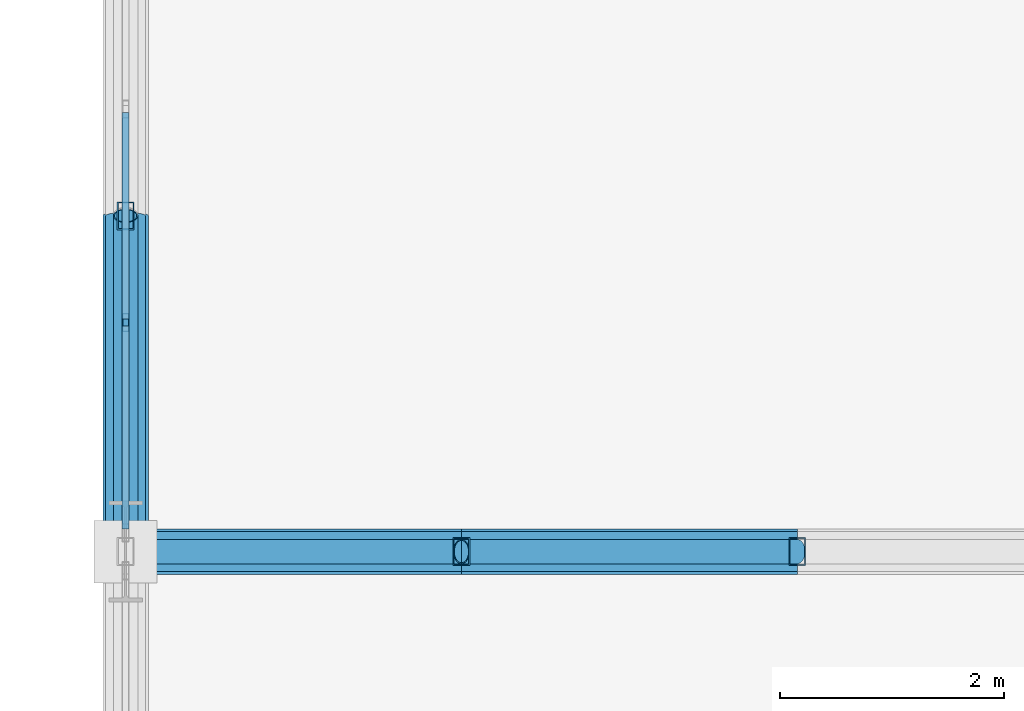
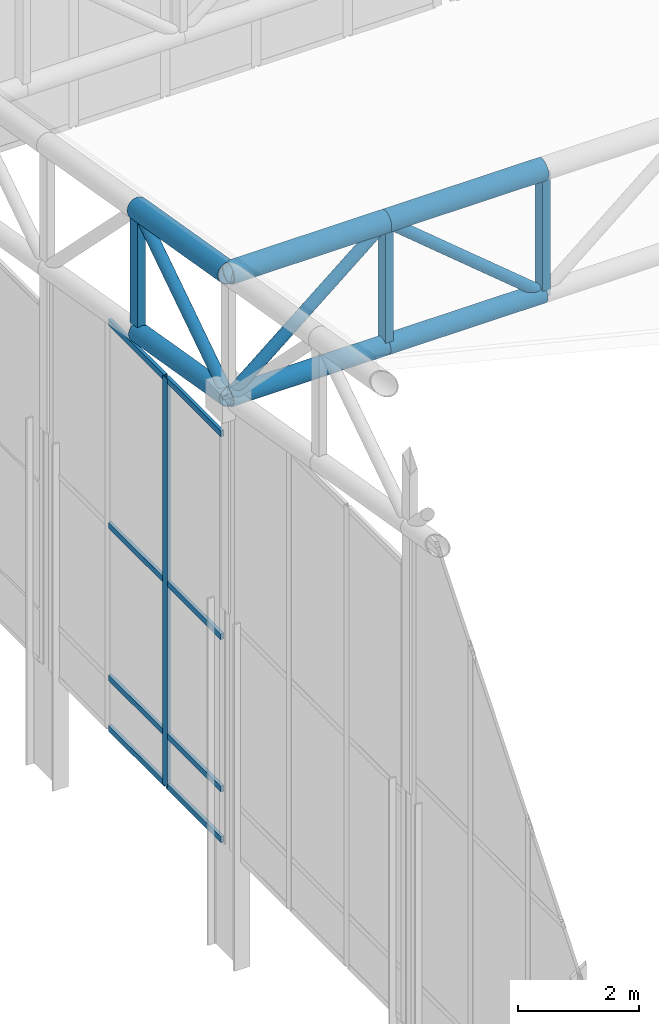
# One storey, part 96 of 239: 21 members, 1 element without a shape of its own.
"""IFC4 building model written with IfcOpenShell, lengths in metres."""

from ifc_helpers import new_model, si_unit, direction, frame, origin, origin_2d, place, context, subcontext, project, spatial, hollow_rectangle, hollow_circle, extrude, material, material_profile, profile_set, type_object, element, aggregate, save


model = new_model("IFC4")

# Units and contexts
model_context = context("Model", 3, precision=1e-05, world=origin(), true_north=direction((0.0, 1.0)))
body_context = subcontext(model_context, "Body", "Model", "MODEL_VIEW")
ifc_project = project(units=[si_unit("LENGTHUNIT", "METRE"), si_unit("AREAUNIT", "SQUARE_METRE"), si_unit("VOLUMEUNIT", "CUBIC_METRE"), si_unit("PLANEANGLEUNIT", "RADIAN"), si_unit("MASSUNIT", "GRAM", prefix="KILO")], contexts=[model_context])

# Site, building, storey
site_placement = place(None, origin())
site = spatial("IfcSite", under=ifc_project, at=site_placement, CompositionType="ELEMENT")
building_placement = place(site_placement, origin())
building = spatial("IfcBuilding", under=site, at=building_placement, Name="Kaldris Quays Convention Centre", CompositionType="ELEMENT")
storey_placement = place(building_placement, frame((0.0, 0.0, 11.39990234375)))
storey = spatial("IfcBuildingStorey", under=building, at=storey_placement, Name="L02", CompositionType="ELEMENT", Elevation=11.39990234375)

# Curtain wall, members
ifc_material_1 = material(Name="Anodized aluminium AW-6060 and triple glazing", Category="aluminium")
curtain_wall_type = type_object("IfcCurtainWallType", Name="UNITISED CURTAIN WALL CW03", PredefinedType="NOTDEFINED", material=ifc_material_1)
curtain_wall_placement = place(storey_placement, origin())
curtain_wall = element("IfcCurtainWall", 1, at=curtain_wall_placement, inside=storey, type_object=curtain_wall_type, Name="L02 Unitised Curtain Wall CW03 223", PredefinedType="NOTDEFINED")
ifc_material_2 = material(Name="Anodized aluminium AW-6060", Category="aluminium")
ifc_material_profile_1 = material_profile(ifc_material_2, hollow_rectangle(XDim=0.06005859375, YDim=0.159912109375, WallThickness=0.00390625, at=origin_2d()), Name="RHS 160x60x4")
ifc_profile_set_1 = profile_set([ifc_material_profile_1], Name="Anodized aluminium AW-6060")
member_type_1 = type_object("IfcMemberType", Name="CURTAIN MULLION CWM1", PredefinedType="MULLION", material=ifc_profile_set_1)
member_1_placement = place(storey_placement, frame((20.0, 118.046630859375, 2.195068359375), z_axis=(0.0, 0.0, 1.0), x_axis=(-1.0, 0.0, 0.0)))
member_1 = element("IfcMember", 2, at=member_1_placement, type_object=member_type_1, Name="CW03 mullion 2", PredefinedType="MULLION", context=body_context, shape_type="SweptSolid", body=[
    extrude(hollow_rectangle(XDim=0.06005859375, YDim=0.159912109375, WallThickness=0.00390625, at=origin_2d()), origin(), (0.0, 0.0, 1.0), 8.255126953125),
])
ifc_material_profile_2 = material_profile(ifc_material_2, hollow_rectangle(XDim=0.06005859375, YDim=0.1201171875, WallThickness=0.00390625, at=origin_2d()), Name="RHS 120x60x4")
ifc_profile_set_2 = profile_set([ifc_material_profile_2], Name="Anodized aluminium AW-6060")
member_type_2 = type_object("IfcMemberType", Name="CURTAIN TRANSOM CWT1", PredefinedType="USERDEFINED", material=ifc_profile_set_2)
member_2_placement = place(storey_placement, frame((20.0, 116.199951171875, 2.22509765625), z_axis=(0.0, 1.0, 0.0), x_axis=(-1.0, 0.0, 0.0)))
member_2 = element("IfcMember", 3, at=member_2_placement, type_object=member_type_2, Name="CW03 transom 1.1", ObjectType="TRANSOM", PredefinedType="USERDEFINED", context=body_context, shape_type="SweptSolid", body=[
    extrude(hollow_rectangle(XDim=0.06005859375, YDim=0.1201171875, WallThickness=0.00390625, at=origin_2d()), origin(), (0.0, 0.0, 1.0), 1.816650390625),
])
member_3_placement = place(storey_placement, frame((20.0, 116.199951171875, 3.2451171875), z_axis=(0.0, 1.0, 0.0), x_axis=(-1.0, 0.0, 0.0)))
member_3 = element("IfcMember", 4, at=member_3_placement, type_object=member_type_2, Name="CW03 transom 1.2", ObjectType="TRANSOM", PredefinedType="USERDEFINED", context=body_context, shape_type="SweptSolid", body=[
    extrude(hollow_rectangle(XDim=0.06005859375, YDim=0.1201171875, WallThickness=0.00390625, at=origin_2d()), origin(), (0.0, 0.0, 1.0), 1.816650390625),
])
member_4_placement = place(storey_placement, frame((20.0, 116.199951171875, 6.322998046875), z_axis=(0.0, 1.0, 0.0), x_axis=(-1.0, 0.0, 0.0)))
member_4 = element("IfcMember", 5, at=member_4_placement, type_object=member_type_2, Name="CW03 transom 1.3", ObjectType="TRANSOM", PredefinedType="USERDEFINED", context=body_context, shape_type="SweptSolid", body=[
    extrude(hollow_rectangle(XDim=0.06005859375, YDim=0.1201171875, WallThickness=0.00390625, at=origin_2d()), origin(), (0.0, 0.0, 1.0), 1.816650390625),
])
member_5_placement = place(storey_placement, frame((20.0, 116.199951171875, 10.420166015625), z_axis=(0.0, 1.0, 0.0), x_axis=(-1.0, 0.0, 0.0)))
member_5 = element("IfcMember", 6, at=member_5_placement, type_object=member_type_2, Name="CW03 transom 1.4", ObjectType="TRANSOM", PredefinedType="USERDEFINED", context=body_context, shape_type="SweptSolid", body=[
    extrude(hollow_rectangle(XDim=0.06005859375, YDim=0.1201171875, WallThickness=0.00390625, at=origin_2d()), origin(), (0.0, 0.0, 1.0), 1.816650390625),
])
member_6_placement = place(storey_placement, frame((20.0, 118.07666015625, 2.22509765625), z_axis=(0.0, 1.0, 0.0), x_axis=(-1.0, 0.0, 0.0)))
member_6 = element("IfcMember", 7, at=member_6_placement, type_object=member_type_2, Name="CW03 transom 2.1", ObjectType="TRANSOM", PredefinedType="USERDEFINED", context=body_context, shape_type="SweptSolid", body=[
    extrude(hollow_rectangle(XDim=0.06005859375, YDim=0.1201171875, WallThickness=0.00390625, at=origin_2d()), origin(), (0.0, 0.0, 1.0), 1.8466796875),
])
member_7_placement = place(storey_placement, frame((20.0, 118.07666015625, 3.2451171875), z_axis=(0.0, 1.0, 0.0), x_axis=(-1.0, 0.0, 0.0)))
member_7 = element("IfcMember", 8, at=member_7_placement, type_object=member_type_2, Name="CW03 transom 2.2", ObjectType="TRANSOM", PredefinedType="USERDEFINED", context=body_context, shape_type="SweptSolid", body=[
    extrude(hollow_rectangle(XDim=0.06005859375, YDim=0.1201171875, WallThickness=0.00390625, at=origin_2d()), origin(), (0.0, 0.0, 1.0), 1.8466796875),
])
member_8_placement = place(storey_placement, frame((20.0, 118.07666015625, 6.322998046875), z_axis=(0.0, 1.0, 0.0), x_axis=(-1.0, 0.0, 0.0)))
member_8 = element("IfcMember", 9, at=member_8_placement, type_object=member_type_2, Name="CW03 transom 2.3", ObjectType="TRANSOM", PredefinedType="USERDEFINED", context=body_context, shape_type="SweptSolid", body=[
    extrude(hollow_rectangle(XDim=0.06005859375, YDim=0.1201171875, WallThickness=0.00390625, at=origin_2d()), origin(), (0.0, 0.0, 1.0), 1.8466796875),
])
member_9_placement = place(storey_placement, frame((20.0, 118.07666015625, 10.420166015625), z_axis=(0.0, 1.0, 0.0), x_axis=(-1.0, 0.0, 0.0)))
member_9 = element("IfcMember", 10, at=member_9_placement, type_object=member_type_2, Name="CW03 transom 2.4", ObjectType="TRANSOM", PredefinedType="USERDEFINED", context=body_context, shape_type="SweptSolid", body=[
    extrude(hollow_rectangle(XDim=0.06005859375, YDim=0.1201171875, WallThickness=0.00390625, at=origin_2d()), origin(), (0.0, 0.0, 1.0), 1.8466796875),
])
aggregate(curtain_wall, [member_1, member_2, member_3, member_4, member_5, member_6, member_7, member_8, member_9])

# Members
ifc_material_3 = material(Name="Steel S355J2H", Category="steel")
ifc_material_profile_3 = material_profile(ifc_material_3, hollow_circle(Radius=0.203125, WallThickness=0.01611328125, at=origin_2d()), Name="CHS 406.4x16")
ifc_profile_set_3 = profile_set([ifc_material_profile_3], Name="Steel S355J2H")
member_type_3 = type_object("IfcMemberType", Name="STRUCTURAL MEMBER SC01", PredefinedType="CHORD", material=ifc_profile_set_3)
for number, where, z_axis, x_axis, name in (
    (11, (20.0, 116.0, 13.7861328125), (1.0, 0.0, 0.0), (0.0, 1.0, 0.0), "SF-V1 Top Chord X 211"),
    (12, (23.0, 116.0, 13.7861328125), (1.0, 0.0, 0.0), (0.0, 1.0, 0.0), "SF-V1 Top Chord X 212"),
):
    element("IfcMember", number, at=place(storey_placement, frame(where, z_axis=z_axis, x_axis=x_axis)), inside=storey, type_object=member_type_3, Name=name, PredefinedType="CHORD", context=body_context, shape_type="SweptSolid", body=[
        extrude(hollow_circle(Radius=0.203125, WallThickness=0.01611328125, at=origin_2d()), origin(), (0.0, 0.0, 1.0), 3.0),
    ])
member_10_placement = place(storey_placement, frame((20.0, 116.0, 13.7861328125), z_axis=(0.0, 0.98562912375, -0.168923741424), x_axis=(-1.0, 0.0, 0.0)))
element("IfcMember", 13, at=member_10_placement, inside=storey, type_object=member_type_3, Name="SF-V1 Top Chord Y 357", PredefinedType="CHORD", context=body_context, shape_type="SweptSolid", body=[
    extrude(hollow_circle(Radius=0.203125, WallThickness=0.01611328125, at=origin_2d()), origin(), (0.0, 0.0, 1.0), 3.043701171875),
])
ifc_material_profile_4 = material_profile(ifc_material_3, hollow_circle(Radius=0.177734375, WallThickness=0.01611328125, at=origin_2d()), Name="CHS 355.6x16")
ifc_profile_set_4 = profile_set([ifc_material_profile_4], Name="Steel S355J2H")
member_type_4 = type_object("IfcMemberType", Name="STRUCTURAL MEMBER SC02", PredefinedType="CHORD", material=ifc_profile_set_4)
for number, where, z_axis, x_axis, name in (
    (14, (20.0, 116.0, 11.2861328125), (1.0, 0.0, 0.0), (0.0, 1.0, 0.0), "SF-V1 Bottom Chord X 211"),
    (15, (23.0, 116.0, 11.2861328125), (1.0, 0.0, 0.0), (0.0, 1.0, 0.0), "SF-V1 Bottom Chord X 212"),
):
    element("IfcMember", number, at=place(storey_placement, frame(where, z_axis=z_axis, x_axis=x_axis)), inside=storey, type_object=member_type_4, Name=name, PredefinedType="CHORD", context=body_context, shape_type="SweptSolid", body=[
        extrude(hollow_circle(Radius=0.177734375, WallThickness=0.01611328125, at=origin_2d()), origin(), (0.0, 0.0, 1.0), 3.0),
    ])
member_11_placement = place(storey_placement, frame((20.0, 116.0, 11.2861328125), z_axis=(0.0, 0.98562912375, -0.168923741424), x_axis=(-1.0, 0.0, 0.0)))
element("IfcMember", 16, at=member_11_placement, inside=storey, type_object=member_type_4, Name="SF-V1 Bottom Chord Y 357", PredefinedType="CHORD", context=body_context, shape_type="SweptSolid", body=[
    extrude(hollow_circle(Radius=0.177734375, WallThickness=0.01611328125, at=origin_2d()), origin(), (0.0, 0.0, 1.0), 3.043701171875),
])
ifc_material_profile_5 = material_profile(ifc_material_3, hollow_circle(Radius=0.109619140625, WallThickness=0.010009765625, at=origin_2d()), Name="CHS 219.1x10")
ifc_profile_set_5 = profile_set([ifc_material_profile_5], Name="Steel S355J2H")
member_type_5 = type_object("IfcMemberType", Name="STRUCTURAL MEMBER SWB1", PredefinedType="BRACE", material=ifc_profile_set_5)
for number, where, z_axis, x_axis, name in (
    (17, (20.0, 116.0, 11.2861328125), (0.768221279597, 0.0, 0.640184399664), (0.0, 1.0, 0.0), "SF-V1 Web Diagonal X 211"),
    (18, (26.0, 116.0, 11.2861328125), (-0.768221279597, 0.0, 0.640184399664), (0.0, -1.0, 0.0), "SF-V1 Web Diagonal X 212"),
):
    element("IfcMember", number, at=place(storey_placement, frame(where, z_axis=z_axis, x_axis=x_axis)), inside=storey, type_object=member_type_5, Name=name, PredefinedType="BRACE", context=body_context, shape_type="SweptSolid", body=[
        extrude(hollow_circle(Radius=0.109619140625, WallThickness=0.010009765625, at=origin_2d()), origin(), (0.0, 0.0, 1.0), 3.905029296875),
    ])
member_12_placement = place(storey_placement, frame((20.0, 116.0, 11.2861328125), z_axis=(0.0, 0.833862389808, 0.551972385962), x_axis=(-1.0, 0.0, 0.0)))
element("IfcMember", 19, at=member_12_placement, inside=storey, type_object=member_type_5, Name="SF-V1 Web Diagonal Y 357", PredefinedType="BRACE", context=body_context, shape_type="SweptSolid", body=[
    extrude(hollow_circle(Radius=0.109619140625, WallThickness=0.010009765625, at=origin_2d()), origin(), (0.0, 0.0, 1.0), 3.59765625),
])
ifc_material_profile_6 = material_profile(ifc_material_3, hollow_rectangle(XDim=0.14990234375, YDim=0.25, WallThickness=0.010009765625, at=origin_2d()), Name="RHS 250x150x10")
ifc_profile_set_6 = profile_set([ifc_material_profile_6], Name="Steel S355J2H")
member_type_6 = type_object("IfcMemberType", Name="STRUCTURAL MEMBER TTV1", PredefinedType="POST", material=ifc_profile_set_6)
for number, where, z_axis, x_axis, name in (
    (20, (20.0, 119.0, 10.77197265625), (0.0, 0.0, 1.0), (1.0, 0.0, 0.0), "SF-V1 Space-Frame Post 22"),
    (21, (23.0, 116.0, 11.2861328125), (0.0, 0.0, 1.0), (1.0, 0.0, 0.0), "SF-V1 Space-Frame Post 35"),
    (22, (26.0, 116.0, 11.2861328125), (0.0, 0.0, 1.0), (1.0, 0.0, 0.0), "SF-V1 Space-Frame Post 43"),
):
    element("IfcMember", number, at=place(storey_placement, frame(where, z_axis=z_axis, x_axis=x_axis)), inside=storey, type_object=member_type_6, Name=name, PredefinedType="POST", context=body_context, shape_type="SweptSolid", body=[
        extrude(hollow_rectangle(XDim=0.14990234375, YDim=0.25, WallThickness=0.010009765625, at=origin_2d()), origin(), (0.0, 0.0, 1.0), 2.5),
    ])

save(model, "model.ifc")
